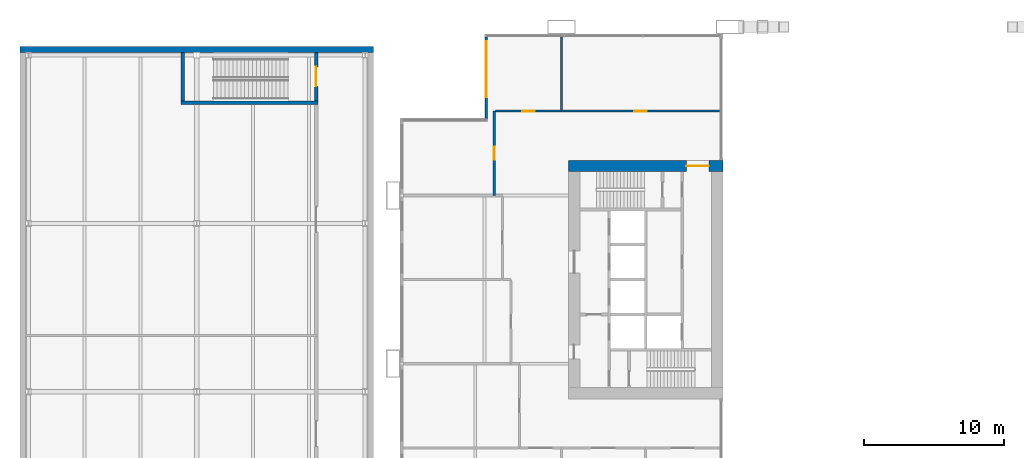
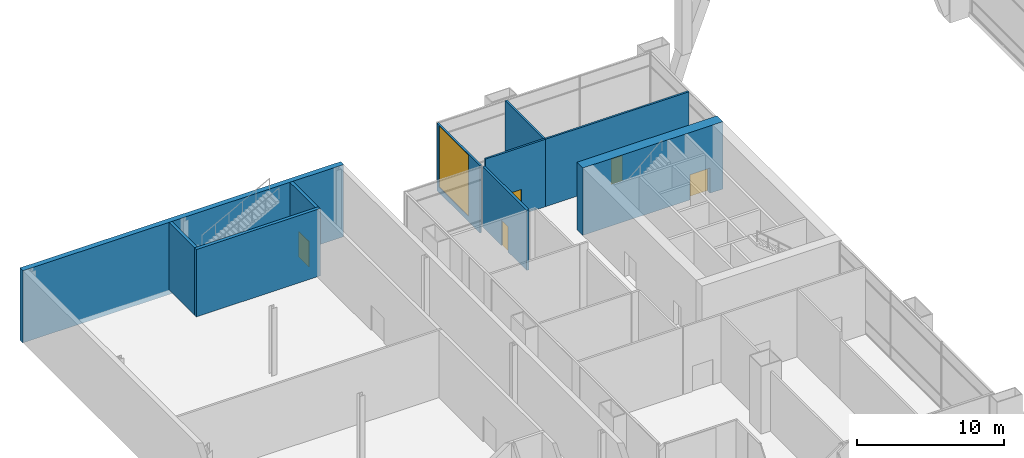
# One storey, part 26 of 30: 10 walls, 5 doors, 1 window, 6 openings.
"""IFC4 building model written with IfcOpenShell, lengths in metres."""

from ifc_helpers import new_model, si_unit, direction, frame, frame_2d, origin, place, context, subcontext, project, spatial, rectangle, extrude, material, layer, layer_set, type_object, element, fill, save


model = new_model("IFC4")

# Units and contexts
model_context = context("Model", 3, precision=1e-05, world=origin(), true_north=direction((0.0, 1.0)))
body_context = subcontext(model_context, "Body", "Model", "MODEL_VIEW")
ifc_project = project(units=[si_unit("LENGTHUNIT", "METRE"), si_unit("AREAUNIT", "SQUARE_METRE"), si_unit("VOLUMEUNIT", "CUBIC_METRE"), si_unit("PLANEANGLEUNIT", "RADIAN"), si_unit("MASSUNIT", "GRAM", prefix="KILO")], contexts=[model_context])

# Site, building, storey
site_placement = place(None, origin())
site = spatial("IfcSite", under=ifc_project, at=site_placement, CompositionType="ELEMENT")
building_placement = place(site_placement, origin())
building = spatial("IfcBuilding", under=site, at=building_placement, Name="Kitamizu Gate Tower and Museum", CompositionType="ELEMENT")
storey_placement = place(building_placement, frame((0.0, 0.0, 6.0)))
storey = spatial("IfcBuildingStorey", under=building, at=storey_placement, Name="L01", CompositionType="ELEMENT", Elevation=6.0)

# Wall, opening, door
ifc_material_1 = material(Name="Concrete Fc60", Category="concrete")
ifc_layer_1 = layer(ifc_material_1, 0.800048828125)
ifc_layer_set_1 = layer_set([ifc_layer_1], Name="Concrete Fc60")
wall_type_1 = type_object("IfcWallType", Name="Core wall 800", PredefinedType="SHEAR", material=ifc_layer_set_1)
wall_1_placement = place(storey_placement, frame((12.5, 38.10009765625, 0.0), z_axis=(0.0, 0.0, 1.0), x_axis=(1.0, 0.0, 0.0)))
wall_1 = element("IfcWall", 1, at=wall_1_placement, inside=storey, type_object=wall_type_1, Name="Core wall WN", PredefinedType="SHEAR", context=body_context, shape_type="SweptSolid", body=[
    extrude(rectangle(XDim=11.0, YDim=0.800048828125, at=frame_2d((5.5, 0.0))), origin(), (0.0, 0.0, 1.0), 5.60009765625),
])
opening_1_placement = place(wall_1_placement, frame((8.39990234375, 0.0, 0.0)))
opening_1 = element("IfcOpeningElement", 2, at=opening_1_placement, cuts=wall_1, Name="Opening L01-026", PredefinedType="OPENING", context=body_context, shape_type="SweptSolid", body=[
    extrude(rectangle(XDim=1.60009765625, YDim=2.10009765625, at=frame_2d((0.800048828125, 1.050048828125))), frame((0.0, 0.41015625, 0.0), z_axis=(0.0, -1.0, 0.0), x_axis=(1.0, 0.0, 0.0)), (0.0, 0.0, 1.0), 0.820068359375),
])
ifc_material_2 = material(Name="Timber door set", Category="wood")
door_type_1 = type_object("IfcDoorType", Name="Entrance door 1600", OperationType="DOUBLE_DOOR_SINGLE_SWING", PredefinedType="DOOR", material=ifc_material_2)
door_1_placement = place(opening_1_placement, origin())
door_1 = element("IfcDoor", 3, at=door_1_placement, inside=storey, type_object=door_type_1, Name="Lobby door L01-026", OperationType="DOUBLE_DOOR_SINGLE_SWING", OverallHeight=2.10009765625, OverallWidth=1.60009765625, PredefinedType="DOOR", context=body_context, shape_type="SweptSolid", body=[
    extrude(rectangle(XDim=1.60009765625, YDim=2.10009765625, at=frame_2d((0.800048828125, 1.050048828125))), frame((0.0, 0.02490234375, 0.0), z_axis=(0.0, -1.0, 0.0), x_axis=(1.0, 0.0, 0.0)), (0.0, 0.0, 1.0), 0.050048828125),
])
fill(opening_1, door_1)

ifc_material_3 = material(Name="Concrete Fc30", Category="concrete")
ifc_layer_2 = layer(ifc_material_3, 0.25)
ifc_layer_set_2 = layer_set([ifc_layer_2], Name="Concrete Fc30")
wall_type_2 = type_object("IfcWallType", Name="Museum RC core wall 250", PredefinedType="SHEAR", material=ifc_layer_set_2)
wall_2_placement = place(storey_placement, frame((-5.5, 42.72509765625, 0.0), z_axis=(0.0, 0.0, 1.0), x_axis=(0.0, 1.0, 0.0)))
wall_2 = element("IfcWall", 4, at=wall_2_placement, inside=storey, type_object=wall_type_2, Name="Core wall L01.13.1", PredefinedType="SHEAR", context=body_context, shape_type="SweptSolid", body=[
    extrude(rectangle(XDim=3.474853515625, YDim=0.25, at=frame_2d((1.7373046875, 0.0))), origin(), (0.0, 0.0, 1.0), 5.60009765625),
])
opening_2_placement = place(wall_2_placement, frame((1.0380859375, 0.0, 0.0)))
opening_2 = element("IfcOpeningElement", 5, at=opening_2_placement, cuts=wall_2, Name="Opening MUS-L01-002", PredefinedType="OPENING", context=body_context, shape_type="SweptSolid", body=[
    extrude(rectangle(XDim=1.39990234375, YDim=2.10009765625, at=frame_2d((0.699951171875, 1.050048828125))), frame((0.0, 0.135009765625, 0.0), z_axis=(0.0, -1.0, 0.0), x_axis=(1.0, 0.0, 0.0)), (0.0, 0.0, 1.0), 0.27001953125),
])
ifc_material_4 = material(Name="Timber leaf in hollow metal frame", Category="wood")
door_type_2 = type_object("IfcDoorType", Name="Museum door 1400x2100 FD60", OperationType="DOUBLE_DOOR_SINGLE_SWING", PredefinedType="DOOR", material=ifc_material_4)
door_2_placement = place(opening_2_placement, origin())
door_2 = element("IfcDoor", 6, at=door_2_placement, inside=storey, type_object=door_type_2, Name="Door Stair N", OperationType="DOUBLE_DOOR_SINGLE_SWING", OverallHeight=2.10009765625, OverallWidth=1.39990234375, PredefinedType="DOOR", context=body_context, shape_type="SweptSolid", body=[
    extrude(rectangle(XDim=1.39990234375, YDim=2.10009765625, at=frame_2d((0.699951171875, 1.050048828125))), frame((0.0, 0.02490234375, 0.0), z_axis=(0.0, -1.0, 0.0), x_axis=(1.0, 0.0, 0.0)), (0.0, 0.0, 1.0), 0.050048828125),
])
fill(opening_2, door_2)

# Walls
wall_3_placement = place(storey_placement, frame((-15.125, 42.60009765625, 0.0), z_axis=(0.0, 0.0, 1.0), x_axis=(1.0, 0.0, 0.0)))
element("IfcWall", 7, at=wall_3_placement, inside=storey, type_object=wall_type_2, Name="Core wall L01.33.1", PredefinedType="SHEAR", context=body_context, shape_type="SweptSolid", body=[
    extrude(rectangle(XDim=9.75, YDim=0.25, at=frame_2d((4.875, 0.0))), origin(), (0.0, 0.0, 1.0), 5.60009765625),
])
wall_4_placement = place(storey_placement, frame((-15.0, 42.72509765625, 0.0), z_axis=(0.0, 0.0, 1.0), x_axis=(0.0, 1.0, 0.0)))
element("IfcWall", 8, at=wall_4_placement, inside=storey, type_object=wall_type_2, Name="Core wall L01.34.1", PredefinedType="SHEAR", context=body_context, shape_type="SweptSolid", body=[
    extrude(rectangle(XDim=3.474853515625, YDim=0.25, at=frame_2d((1.7373046875, 0.0))), origin(), (0.0, 0.0, 1.0), 5.60009765625),
])
ifc_material_5 = material(Name="Concrete Fc30 precast", Category="concrete")
ifc_layer_3 = layer(ifc_material_5, 0.39990234375)
ifc_layer_set_3 = layer_set([ifc_layer_3], Name="Concrete Fc30 precast")
wall_type_3 = type_object("IfcWallType", Name="Museum cladding wall 400", PredefinedType="STANDARD", material=ifc_layer_set_3)
wall_5_placement = place(storey_placement, frame((-26.60009765625, 46.39990234375, -0.39990234375), z_axis=(0.0, 0.0, 1.0), x_axis=(1.0, 0.0, 0.0)))
element("IfcWall", 9, at=wall_5_placement, inside=storey, type_object=wall_type_3, Name="Cladding wall L01.7", PredefinedType="STANDARD", context=body_context, shape_type="SweptSolid", body=[
    extrude(rectangle(XDim=25.2001953125, YDim=0.39990234375, at=frame_2d((12.60009765625, 0.0))), origin(), (0.0, 0.0, 1.0), 6.0),
])

# Wall, opening, door
ifc_material_6 = material(Name="Gypsum board on galvanised stud")
ifc_layer_4 = layer(ifc_material_6, 0.14990234375)
ifc_layer_set_4 = layer_set([ifc_layer_4], Name="Gypsum board on galvanised stud")
wall_type_4 = type_object("IfcWallType", Name="Partition 150", PredefinedType="PARTITIONING", material=ifc_layer_set_4)
wall_6_placement = place(storey_placement, frame((12.0, 42.0, 0.0), z_axis=(0.0, 0.0, 1.0), x_axis=(-1.0, 0.0, 0.0)))
wall_6 = element("IfcWall", 10, at=wall_6_placement, inside=storey, type_object=wall_type_4, Name="Partition L01-011", PredefinedType="PARTITIONING", context=body_context, shape_type="SweptSolid", body=[
    extrude(rectangle(XDim=4.699951171875, YDim=0.14990234375, at=frame_2d((2.35009765625, 0.0))), origin(), (0.0, 0.0, 1.0), 5.60009765625),
])
opening_3_placement = place(wall_6_placement, frame((1.89990234375, 0.0, 0.0)))
opening_3 = element("IfcOpeningElement", 11, at=opening_3_placement, cuts=wall_6, Name="Opening L01-017", PredefinedType="OPENING", context=body_context, shape_type="SweptSolid", body=[
    extrude(rectangle(XDim=0.89990234375, YDim=2.10009765625, at=frame_2d((0.449951171875, 1.050048828125))), frame((0.0, 0.0849609375, 0.0), z_axis=(0.0, -1.0, 0.0), x_axis=(1.0, 0.0, 0.0)), (0.0, 0.0, 1.0), 0.169921875),
])
ifc_material_7 = material(Name="Timber door set", Category="wood")
door_type_3 = type_object("IfcDoorType", Name="Room door 900", OperationType="NOTDEFINED", PredefinedType="DOOR", material=ifc_material_7)
door_3_placement = place(opening_3_placement, frame((0.89990234375, 0.0, 0.0), x_axis=(-1.0, 0.0, 0.0)))
door_3 = element("IfcDoor", 12, at=door_3_placement, inside=storey, type_object=door_type_3, Name="Door L01-017", OperationType="SINGLE_SWING_RIGHT", OverallHeight=2.10009765625, OverallWidth=0.89990234375, PredefinedType="DOOR", context=body_context, shape_type="SweptSolid", body=[
    extrude(rectangle(XDim=0.89990234375, YDim=2.10009765625, at=frame_2d((0.449951171875, 1.050048828125))), frame((0.0, 0.02490234375, 0.0), z_axis=(0.0, -1.0, 0.0), x_axis=(1.0, 0.0, 0.0)), (0.0, 0.0, 1.0), 0.050048828125),
])
fill(opening_3, door_3)

wall_7_placement = place(storey_placement, frame((23.280029296875, 42.0, 0.0), z_axis=(0.0, 0.0, 1.0), x_axis=(-1.0, 0.0, 0.0)))
wall_7 = element("IfcWall", 13, at=wall_7_placement, inside=storey, type_object=wall_type_4, Name="Partition L01-012", PredefinedType="PARTITIONING", context=body_context, shape_type="SweptSolid", body=[
    extrude(rectangle(XDim=11.280029296875, YDim=0.14990234375, at=frame_2d((5.64013671875, 0.0))), origin(), (0.0, 0.0, 1.0), 5.60009765625),
])
opening_4_placement = place(wall_7_placement, frame((5.18994140625, 0.0, 0.0)))
opening_4 = element("IfcOpeningElement", 14, at=opening_4_placement, cuts=wall_7, Name="Opening L01-018", PredefinedType="OPENING", context=body_context, shape_type="SweptSolid", body=[
    extrude(rectangle(XDim=0.89990234375, YDim=2.10009765625, at=frame_2d((0.449951171875, 1.050048828125))), frame((0.0, 0.0849609375, 0.0), z_axis=(0.0, -1.0, 0.0), x_axis=(1.0, 0.0, 0.0)), (0.0, 0.0, 1.0), 0.169921875),
])
door_4_placement = place(opening_4_placement, frame((0.89990234375, 0.0, 0.0), x_axis=(-1.0, 0.0, 0.0)))
door_4 = element("IfcDoor", 15, at=door_4_placement, inside=storey, type_object=door_type_3, Name="Door L01-018", OperationType="SINGLE_SWING_LEFT", OverallHeight=2.10009765625, OverallWidth=0.89990234375, PredefinedType="DOOR", context=body_context, shape_type="SweptSolid", body=[
    extrude(rectangle(XDim=0.89990234375, YDim=2.10009765625, at=frame_2d((0.449951171875, 1.050048828125))), frame((0.0, 0.02490234375, 0.0), z_axis=(0.0, -1.0, 0.0), x_axis=(1.0, 0.0, 0.0)), (0.0, 0.0, 1.0), 0.050048828125),
])
fill(opening_4, door_4)

# Wall
wall_8_placement = place(storey_placement, frame((12.0, 42.074951171875, 0.0), z_axis=(0.0, 0.0, 1.0), x_axis=(0.0, 1.0, 0.0)))
element("IfcWall", 16, at=wall_8_placement, inside=storey, type_object=wall_type_4, Name="Partition L01-042", PredefinedType="PARTITIONING", context=body_context, shape_type="SweptSolid", body=[
    extrude(rectangle(XDim=5.205078125, YDim=0.14990234375, at=frame_2d((2.6025390625, 0.0))), origin(), (0.0, 0.0, 1.0), 5.60009765625),
])

# Wall, opening, door
ifc_material_8 = material(Name="Gypsum board on galvanised stud")
ifc_layer_5 = layer(ifc_material_8, 0.199951171875)
ifc_layer_set_5 = layer_set([ifc_layer_5], Name="Gypsum board on galvanised stud")
wall_type_5 = type_object("IfcWallType", Name="Partition 200", PredefinedType="PARTITIONING", material=ifc_layer_set_5)
wall_9_placement = place(storey_placement, frame((7.199951171875, 42.0, 0.0), z_axis=(0.0, 0.0, 1.0), x_axis=(0.0, -1.0, 0.0)))
wall_9 = element("IfcWall", 17, at=wall_9_placement, inside=storey, type_object=wall_type_5, Name="Partition L01-010", PredefinedType="PARTITIONING", context=body_context, shape_type="SweptSolid", body=[
    extrude(rectangle(XDim=6.0, YDim=0.199951171875, at=frame_2d((3.0, 0.0))), origin(), (0.0, 0.0, 1.0), 5.0),
])
opening_5_placement = place(wall_9_placement, frame((2.550048828125, 0.0, 0.0)))
opening_5 = element("IfcOpeningElement", 18, at=opening_5_placement, cuts=wall_9, Name="Opening L01-016", PredefinedType="OPENING", context=body_context, shape_type="SweptSolid", body=[
    extrude(rectangle(XDim=0.89990234375, YDim=2.10009765625, at=frame_2d((0.449951171875, 1.050048828125))), frame((0.0, 0.10986328125, 0.0), z_axis=(0.0, -1.0, 0.0), x_axis=(1.0, 0.0, 0.0)), (0.0, 0.0, 1.0), 0.219970703125),
])
ifc_material_9 = material(Name="Timber door set", Category="wood")
door_type_4 = type_object("IfcDoorType", Name="Store door 900", OperationType="NOTDEFINED", PredefinedType="DOOR", material=ifc_material_9)
door_5_placement = place(opening_5_placement, frame((0.89990234375, 0.0, 0.0), x_axis=(-1.0, 0.0, 0.0)))
door_5 = element("IfcDoor", 19, at=door_5_placement, inside=storey, type_object=door_type_4, Name="Store door L01-016", OperationType="SINGLE_SWING_LEFT", OverallHeight=2.10009765625, OverallWidth=0.89990234375, PredefinedType="DOOR", context=body_context, shape_type="SweptSolid", body=[
    extrude(rectangle(XDim=0.89990234375, YDim=2.10009765625, at=frame_2d((0.449951171875, 1.050048828125))), frame((0.0, 0.02490234375, 0.0), z_axis=(0.0, -1.0, 0.0), x_axis=(1.0, 0.0, 0.0)), (0.0, 0.0, 1.0), 0.050048828125),
])
fill(opening_5, door_5)

# Wall, opening, window
ifc_material_10 = material(Name="Bronze anodised aluminium frame with insulated spandrel and tinted glass", Category="aluminium")
ifc_layer_6 = layer(ifc_material_10, 0.14990234375)
ifc_layer_set_6 = layer_set([ifc_layer_6], Name="Bronze anodised aluminium frame with insulated spandrel and tinted glass")
wall_type_6 = type_object("IfcWallType", Name="WINDOW WALL 150 BRONZE FRAME EI 60", PredefinedType="ELEMENTEDWALL", material=ifc_layer_set_6)
wall_10_placement = place(storey_placement, frame((6.635009765625, 41.43994140625, 0.0), z_axis=(0.0, 0.0, 1.0), x_axis=(0.0, 1.0, 0.0)))
wall_10 = element("IfcWall", 20, at=wall_10_placement, inside=storey, type_object=wall_type_6, Name="Window wall west L01", PredefinedType="ELEMENTEDWALL", context=body_context, shape_type="SweptSolid", body=[
    extrude(rectangle(XDim=5.85009765625, YDim=0.14990234375, at=frame_2d((2.925048828125, 0.0))), origin(), (0.0, 0.0, 1.0), 5.60009765625),
])
opening_6_placement = place(wall_10_placement, frame((1.56005859375, 0.0, 0.449951171875)))
opening_6 = element("IfcOpeningElement", 21, at=opening_6_placement, cuts=wall_10, Name="Opening W22", PredefinedType="OPENING", context=body_context, shape_type="SweptSolid", body=[
    extrude(rectangle(XDim=4.0, YDim=5.10009765625, at=frame_2d((2.0, 2.550048828125))), frame((0.0, 0.0849609375, 0.0), z_axis=(0.0, -1.0, 0.0), x_axis=(1.0, 0.0, 0.0)), (0.0, 0.0, 1.0), 0.169921875),
])
ifc_material_11 = material(Name="Bronze anodised aluminium frame, tinted triple glazing", Category="aluminium")
window_type = type_object("IfcWindowType", Name="WINDOW 4000 x 5100 SILL 450", PartitioningType="SINGLE_PANEL", PredefinedType="WINDOW", material=ifc_material_11)
window_placement = place(opening_6_placement, origin())
window = element("IfcWindow", 22, at=window_placement, inside=storey, type_object=window_type, Name="Window W22 L01", OverallHeight=5.10009765625, OverallWidth=4.0, PartitioningType="SINGLE_PANEL", PredefinedType="WINDOW", context=body_context, shape_type="SweptSolid", body=[
    extrude(rectangle(XDim=4.0, YDim=5.10009765625, at=frame_2d((2.0, 2.550048828125))), frame((0.0, 0.030029296875, 0.0), z_axis=(0.0, -1.0, 0.0), x_axis=(1.0, 0.0, 0.0)), (0.0, 0.0, 1.0), 0.06005859375),
])
fill(opening_6, window)

save(model, "model.ifc")
